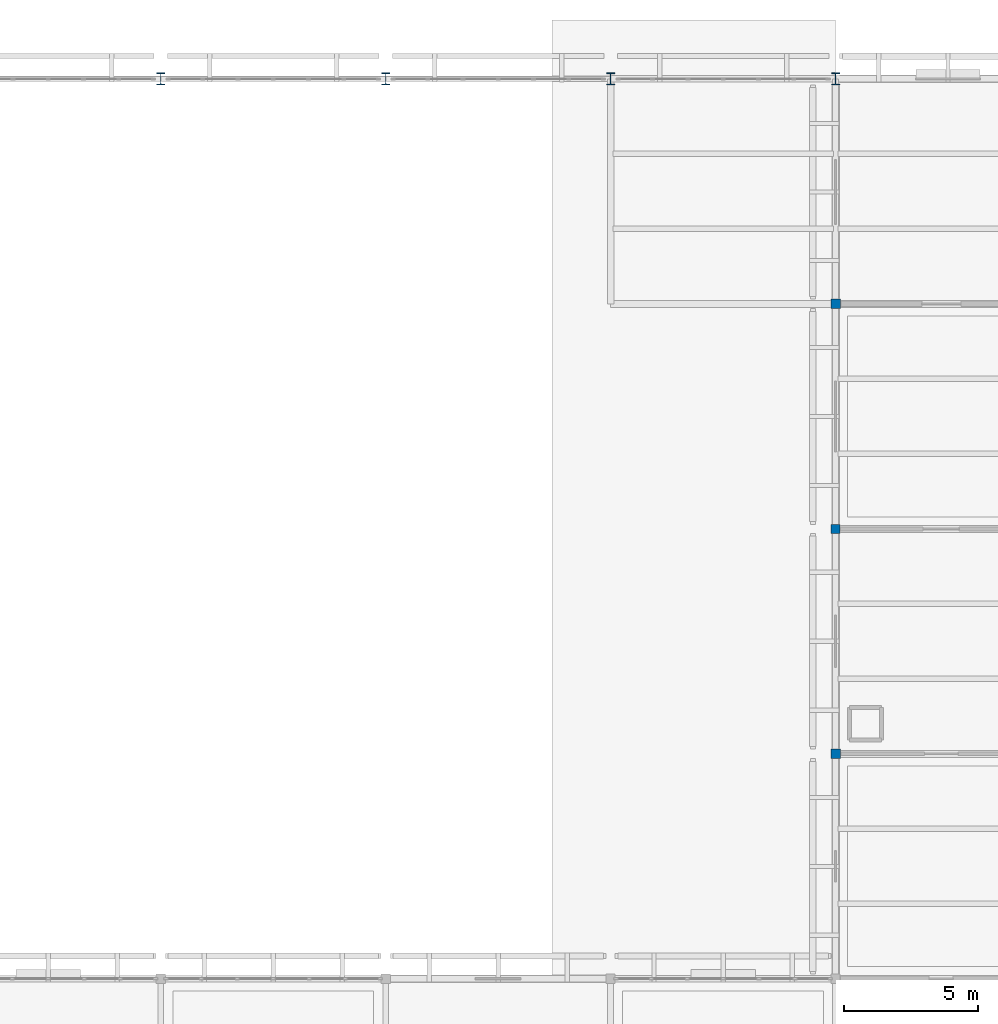
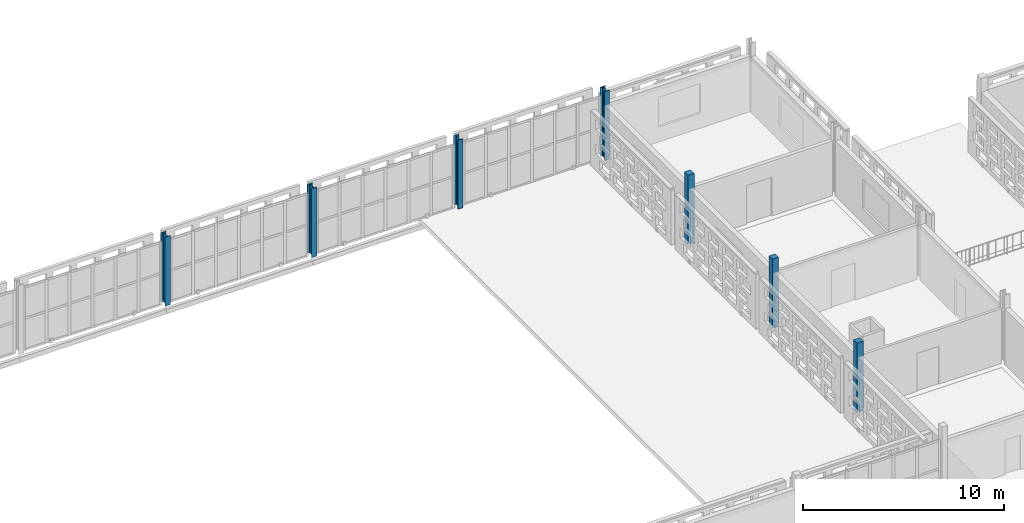
# One storey, part 8 of 140: 7 columns.
"""IFC4 building model written with IfcOpenShell, lengths in metres."""

from ifc_helpers import new_model, si_unit, direction, frame, origin, origin_2d, place, context, subcontext, project, spatial, rectangle, i_section, extrude, material, material_profile, profile_set, type_object, element, save


model = new_model("IFC4")

# Units and contexts
model_context = context("Model", 3, precision=1e-05, world=origin(), true_north=direction((0.0, 1.0)))
body_context = subcontext(model_context, "Body", "Model", "MODEL_VIEW")
ifc_project = project(units=[si_unit("LENGTHUNIT", "METRE"), si_unit("AREAUNIT", "SQUARE_METRE"), si_unit("VOLUMEUNIT", "CUBIC_METRE"), si_unit("PLANEANGLEUNIT", "RADIAN"), si_unit("MASSUNIT", "GRAM", prefix="KILO")], contexts=[model_context])

# Site, building, storey
site_placement = place(None, origin())
site = spatial("IfcSite", under=ifc_project, at=site_placement, CompositionType="ELEMENT")
building_placement = place(site_placement, origin())
building = spatial("IfcBuilding", under=site, at=building_placement, Name="Varnapada Polytechnic", CompositionType="ELEMENT")
storey_placement = place(building_placement, frame((0.0, 0.0, 13.800048828125)))
storey = spatial("IfcBuildingStorey", under=building, at=storey_placement, Name="L03", CompositionType="ELEMENT", Elevation=13.800048828125)

# Columns
ifc_material_1 = material(Name="Steel S355", Category="steel")
ifc_material_profile_1 = material_profile(ifc_material_1, i_section(OverallWidth=0.300048828125, OverallDepth=0.449951171875, WebThickness=0.013916015625, FlangeThickness=0.02587890625, FilletRadius=0.027099609375, at=origin_2d()), Name="HEB 450")
ifc_profile_set_1 = profile_set([ifc_material_profile_1], Name="Steel S355")
column_type_1 = type_object("IfcColumnType", Name="Column C-07 (HEB 450)", PredefinedType="COLUMN", material=ifc_profile_set_1)
for number, where, z_axis, x_axis, name in (
    (1, (100.800048828125, 126.0, 0.0), (0.0, 0.0, 1.0), (1.0, 0.0, 0.0), "L03 column 13/16"),
    (2, (109.199951171875, 126.0, 0.0), (0.0, 0.0, 1.0), (1.0, 0.0, 0.0), "L03 column 14/16"),
    (3, (117.60009765625, 126.0, 0.0), (0.0, 0.0, 1.0), (1.0, 0.0, 0.0), "L03 column 15/16"),
    (4, (126.0, 126.0, 0.0), (0.0, 0.0, 1.0), (1.0, 0.0, 0.0), "L03 column 16/16"),
):
    element("IfcColumn", number, at=place(storey_placement, frame(where, z_axis=z_axis, x_axis=x_axis)), inside=storey, type_object=column_type_1, Name=name, PredefinedType="COLUMN", context=body_context, shape_type="SweptSolid", body=[
        extrude(i_section(OverallWidth=0.300048828125, OverallDepth=0.449951171875, WebThickness=0.013916015625, FlangeThickness=0.02587890625, FilletRadius=0.027099609375, at=origin_2d()), origin(), (0.0, 0.0, 1.0), 4.199951171875),
    ])
ifc_material_2 = material(Name="Glulam GL32h", Category="wood")
ifc_material_profile_2 = material_profile(ifc_material_2, rectangle(XDim=0.360107421875, YDim=0.360107421875, at=origin_2d()), Name="GL 360x360")
ifc_profile_set_2 = profile_set([ifc_material_profile_2], Name="Glulam GL32h")
column_type_2 = type_object("IfcColumnType", Name="Column C-14 (GL 360x360)", PredefinedType="COLUMN", material=ifc_profile_set_2)
for number, where, z_axis, x_axis, name in (
    (5, (126.0, 100.800048828125, 0.0), (0.0, 0.0, 1.0), (1.0, 0.0, 0.0), "L03 column 16/13"),
    (6, (126.0, 117.60009765625, 0.0), (0.0, 0.0, 1.0), (1.0, 0.0, 0.0), "L03 column 16/15"),
):
    element("IfcColumn", number, at=place(storey_placement, frame(where, z_axis=z_axis, x_axis=x_axis)), inside=storey, type_object=column_type_2, Name=name, PredefinedType="COLUMN", context=body_context, shape_type="SweptSolid", body=[
        extrude(rectangle(XDim=0.360107421875, YDim=0.360107421875, at=origin_2d()), origin(), (0.0, 0.0, 1.0), 4.199951171875),
    ])
ifc_material_profile_3 = material_profile(ifc_material_2, rectangle(XDim=0.340087890625, YDim=0.340087890625, at=origin_2d()), Name="GL 340x340")
ifc_profile_set_3 = profile_set([ifc_material_profile_3], Name="Glulam GL32h")
column_type_3 = type_object("IfcColumnType", Name="Column C-27 (GL 340x340)", PredefinedType="COLUMN", material=ifc_profile_set_3)
column_placement = place(storey_placement, frame((126.0, 109.199951171875, 0.0), z_axis=(0.0, 0.0, 1.0), x_axis=(1.0, 0.0, 0.0)))
element("IfcColumn", 7, at=column_placement, inside=storey, type_object=column_type_3, Name="L03 column 16/14", PredefinedType="COLUMN", context=body_context, shape_type="SweptSolid", body=[
    extrude(rectangle(XDim=0.340087890625, YDim=0.340087890625, at=origin_2d()), origin(), (0.0, 0.0, 1.0), 4.199951171875),
])

save(model, "model.ifc")
